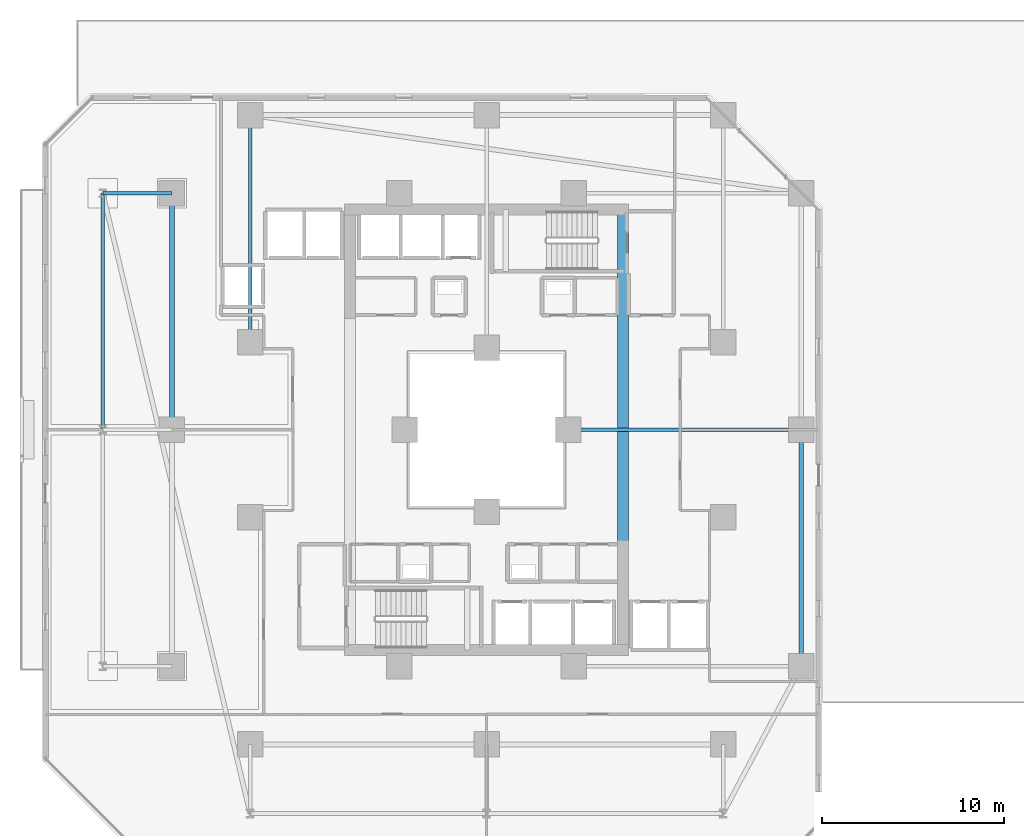
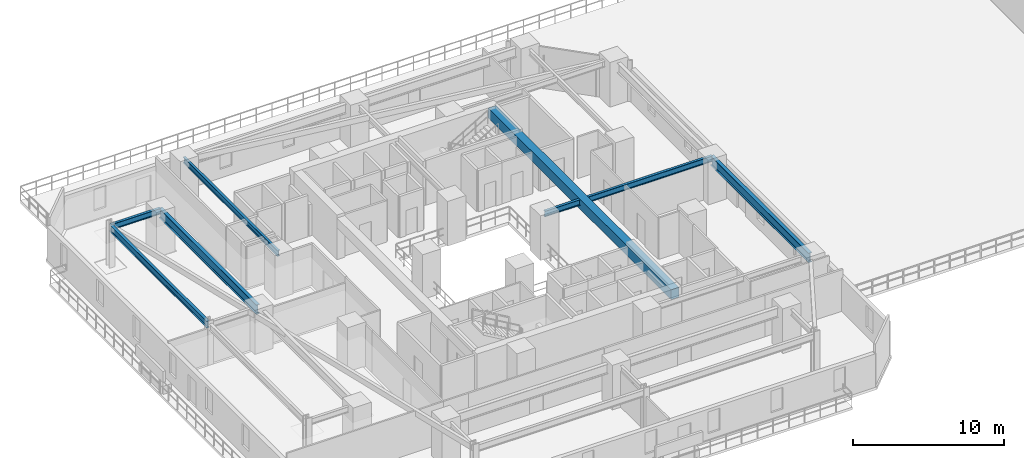
# One storey, part 6 of 34: 7 beams.
"""IFC4 building model written with IfcOpenShell, lengths in metres."""

from ifc_helpers import new_model, si_unit, direction, frame, origin, origin_2d, place, context, subcontext, project, spatial, rectangle, i_section, extrude, material, material_profile, profile_set, type_object, element, save


model = new_model("IFC4")

# Units and contexts
model_context = context("Model", 3, precision=1e-05, world=origin(), true_north=direction((0.0, 1.0)))
body_context = subcontext(model_context, "Body", "Model", "MODEL_VIEW")
ifc_project = project(units=[si_unit("LENGTHUNIT", "METRE"), si_unit("AREAUNIT", "SQUARE_METRE"), si_unit("VOLUMEUNIT", "CUBIC_METRE"), si_unit("PLANEANGLEUNIT", "RADIAN"), si_unit("MASSUNIT", "GRAM", prefix="KILO")], contexts=[model_context])

# Site, building, storey
site_placement = place(None, origin())
site = spatial("IfcSite", under=ifc_project, at=site_placement, CompositionType="ELEMENT")
building_placement = place(site_placement, origin())
building = spatial("IfcBuilding", under=site, at=building_placement, Name="Thornwick Lancets Civic Towers", CompositionType="ELEMENT")
storey_placement = place(building_placement, frame((0.0, 0.0, 27.89990234375)))
storey = spatial("IfcBuildingStorey", under=building, at=storey_placement, Name="L06", CompositionType="ELEMENT", Elevation=27.89990234375)

# Beams
ifc_material_1 = material(Name="Concrete C60/75", Category="concrete")
ifc_material_profile_1 = material_profile(ifc_material_1, rectangle(XDim=0.60009765625, YDim=0.800048828125, at=origin_2d()), Name="RC 600x800")
ifc_profile_set_1 = profile_set([ifc_material_profile_1], Name="Concrete C60/75")
beam_type_1 = type_object("IfcBeamType", Name="BM_COUP_RC800", PredefinedType="BEAM", material=ifc_profile_set_1)
beam_1_placement = place(storey_placement, frame((33.0, 14.89990234375, 2.960205078125), z_axis=(0.0, 1.0, 0.0), x_axis=(-1.0, 0.0, 0.0)))
element("IfcBeam", 1, at=beam_1_placement, inside=storey, type_object=beam_type_1, Name="CB-L06-A1", PredefinedType="BEAM", context=body_context, shape_type="SweptSolid", body=[
    extrude(rectangle(XDim=0.60009765625, YDim=0.800048828125, at=origin_2d()), origin(), (0.0, 0.0, 1.0), 24.2001953125),
])
ifc_material_2 = material(Name="Steel S355JR", Category="steel")
ifc_material_profile_2 = material_profile(ifc_material_2, i_section(OverallWidth=0.2119140625, OverallDepth=0.54443359375, WebThickness=0.0126953125, FlangeThickness=0.021240234375, FilletRadius=0.0126953125, at=origin_2d()), Name="UKB 533x210x122")
ifc_profile_set_2 = profile_set([ifc_material_profile_2], Name="Steel S355JR")
beam_type_2 = type_object("IfcBeamType", Name="BM_EDGE_533_122", PredefinedType="SPANDREL", material=ifc_profile_set_2)
beam_2_placement = place(storey_placement, frame((4.39990234375, 27.080078125, 3.087890625), z_axis=(0.0, 1.0, 0.0), x_axis=(-1.0, 0.0, 0.0)))
element("IfcBeam", 2, at=beam_2_placement, inside=storey, type_object=beam_type_2, Name="BM-EDGE-L06-A-S3-2", PredefinedType="SPANDREL", context=body_context, shape_type="SweptSolid", body=[
    extrude(i_section(OverallWidth=0.2119140625, OverallDepth=0.54443359375, WebThickness=0.0126953125, FlangeThickness=0.021240234375, FilletRadius=0.0126953125, at=origin_2d()), origin(), (0.0, 0.0, 1.0), 12.919921875),
])
ifc_material_profile_3 = material_profile(ifc_material_2, i_section(OverallWidth=0.26806640625, OverallDepth=0.769775390625, WebThickness=0.015625, FlangeThickness=0.025390625, FilletRadius=0.0166015625, at=origin_2d()), Name="UKB 762x267x197")
ifc_profile_set_3 = profile_set([ifc_material_profile_3], Name="Steel S355JR")
beam_type_3 = type_object("IfcBeamType", Name="BM_GIRD_762_197", PredefinedType="BEAM", material=ifc_profile_set_3)
beam_3_placement = place(storey_placement, frame((42.800048828125, 14.0, 2.97509765625), z_axis=(0.0, 1.0, 0.0), x_axis=(-1.0, 0.0, 0.0)))
element("IfcBeam", 3, at=beam_3_placement, inside=storey, type_object=beam_type_3, Name="BM-SPINE-L06-A-3-4", PredefinedType="BEAM", context=body_context, shape_type="SweptSolid", body=[
    extrude(i_section(OverallWidth=0.26806640625, OverallDepth=0.769775390625, WebThickness=0.015625, FlangeThickness=0.025390625, FilletRadius=0.0166015625, at=origin_2d()), origin(), (0.0, 0.0, 1.0), 13.0),
])
beam_4_placement = place(storey_placement, frame((8.199951171875, 27.080078125, 2.97509765625), z_axis=(0.0, 1.0, 0.0), x_axis=(-1.0, 0.0, 0.0)))
element("IfcBeam", 4, at=beam_4_placement, inside=storey, type_object=beam_type_3, Name="BM-SPINE-L06-A-10-11", PredefinedType="BEAM", context=body_context, shape_type="SweptSolid", body=[
    extrude(i_section(OverallWidth=0.26806640625, OverallDepth=0.769775390625, WebThickness=0.015625, FlangeThickness=0.025390625, FilletRadius=0.0166015625, at=origin_2d()), origin(), (0.0, 0.0, 1.0), 12.919921875),
])
ifc_material_profile_4 = material_profile(ifc_material_2, i_section(OverallWidth=0.19287109375, OverallDepth=0.46728515625, WebThickness=0.011474609375, FlangeThickness=0.01953125, FilletRadius=0.01025390625, at=origin_2d()), Name="UKB 457x191x98")
ifc_profile_set_4 = profile_set([ifc_material_profile_4], Name="Steel S355JR")
beam_type_4 = type_object("IfcBeamType", Name="BM_JOIST_457_98", PredefinedType="JOIST", material=ifc_profile_set_4)
beam_5_placement = place(storey_placement, frame((30.0, 27.0, 3.12646484375), z_axis=(1.0, 0.0, 0.0), x_axis=(0.0, 1.0, 0.0)))
element("IfcBeam", 5, at=beam_5_placement, inside=storey, type_object=beam_type_4, Name="BM-RADIN-L06-A05", PredefinedType="JOIST", context=body_context, shape_type="SweptSolid", body=[
    extrude(i_section(OverallWidth=0.19287109375, OverallDepth=0.46728515625, WebThickness=0.011474609375, FlangeThickness=0.01953125, FilletRadius=0.01025390625, at=origin_2d()), origin(), (0.0, 0.0, 1.0), 12.800048828125),
])
beam_6_placement = place(storey_placement, frame((12.5, 31.800048828125, 3.12646484375), z_axis=(0.0, 1.0, 0.0), x_axis=(-1.0, 0.0, 0.0)))
element("IfcBeam", 6, at=beam_6_placement, inside=storey, type_object=beam_type_4, Name="BM-RADIN-L06-A07", PredefinedType="JOIST", context=body_context, shape_type="SweptSolid", body=[
    extrude(i_section(OverallWidth=0.19287109375, OverallDepth=0.46728515625, WebThickness=0.011474609375, FlangeThickness=0.01953125, FilletRadius=0.01025390625, at=origin_2d()), origin(), (0.0, 0.0, 1.0), 12.5),
])
beam_7_placement = place(storey_placement, frame((8.199951171875, 40.0, 3.12646484375), z_axis=(-1.0, 0.0, 0.0), x_axis=(0.0, -1.0, 0.0)))
element("IfcBeam", 7, at=beam_7_placement, inside=storey, type_object=beam_type_4, Name="BM-RAD-L06-A12", PredefinedType="JOIST", context=body_context, shape_type="SweptSolid", body=[
    extrude(i_section(OverallWidth=0.19287109375, OverallDepth=0.46728515625, WebThickness=0.011474609375, FlangeThickness=0.01953125, FilletRadius=0.01025390625, at=origin_2d()), origin(), (0.0, 0.0, 1.0), 3.800048828125),
])

save(model, "model.ifc")
